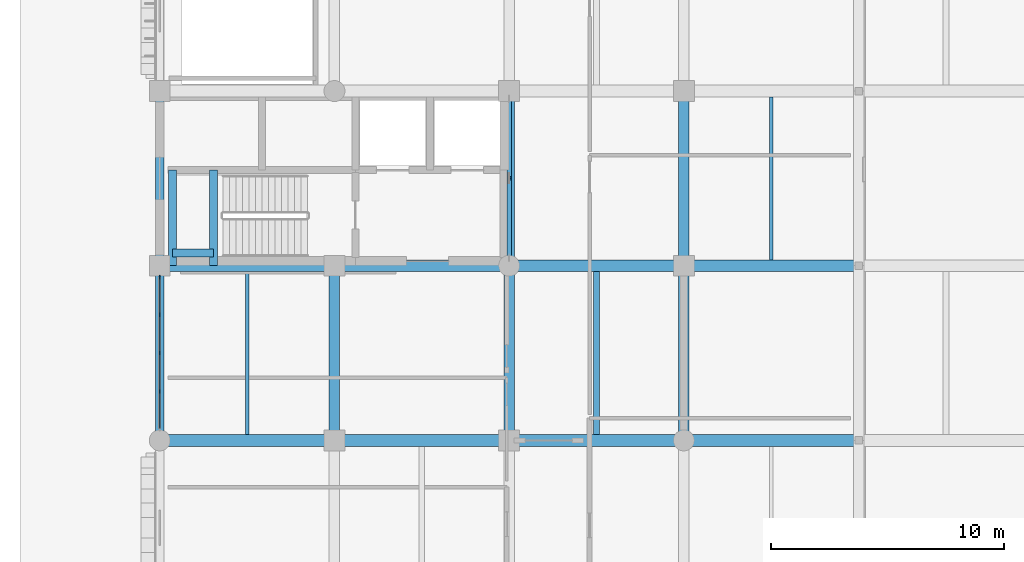
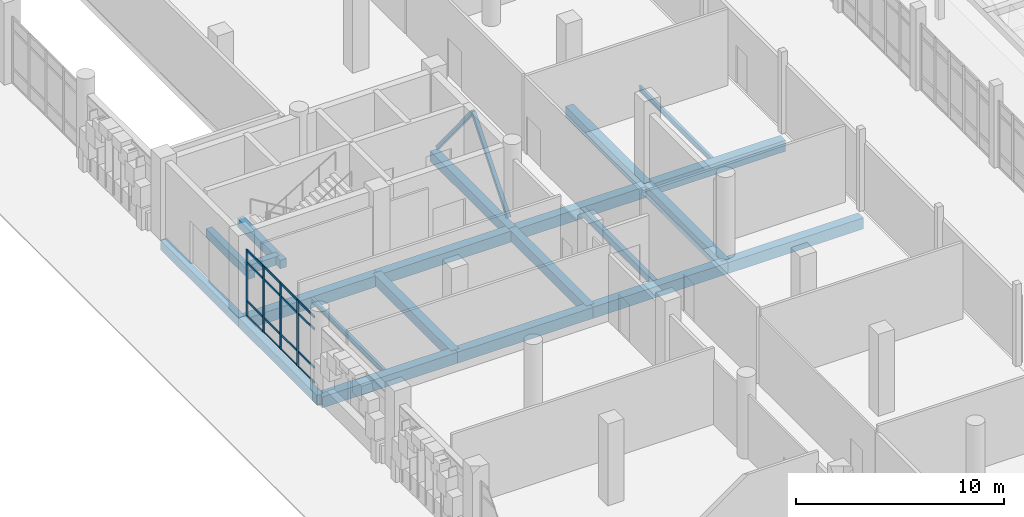
# One storey, part 23 of 125: 22 members, 21 beams, 1 element without a shape of its own.
"""IFC4 building model written with IfcOpenShell, lengths in metres."""

import ifcopenshell
import ifcopenshell.guid

model = None  # the IFC model being written
_history = None  # IfcOwnerHistory: only IFC2X3 demands one
_inside = {}  # id of a spatial element -> (the spatial element, [elements in it])
_under = {}  # id of a project, library or spatial element -> (it, [spatial elements below it])
_declared = {}  # id of a project -> (the project, [libraries it declares])
_typed = {}  # id of a type object -> (the type object, [elements of that type])
_made_of = {}  # id of a material, layer set ... -> (it, [elements and type objects made of it])


def new_model(schema):
    """Start an empty IFC model of exactly this schema.

    Asked for "IFC4X3", IfcOpenShell would pick the latest addendum, in which some entities
    have other attributes; the version numbers below select the first issue.
    IFC2X3 requires an IfcOwnerHistory on every rooted entity: one is made here for all.
    """
    global model, _history
    if schema == "IFC4X3":
        model = ifcopenshell.file(schema_version=(4, 3, 0, 0))
    else:
        model = ifcopenshell.file(schema=schema)
    _inside.clear()
    _under.clear()
    _declared.clear()
    _typed.clear()
    _made_of.clear()
    _history = None
    if model.schema == "IFC2X3":
        org = make("IfcOrganization", Name="unknown")
        user = make(
            "IfcPersonAndOrganization",
            ThePerson=make("IfcPerson", FamilyName="unknown"),
            TheOrganization=org,
        )
        app = make(
            "IfcApplication",
            ApplicationDeveloper=org,
            Version="unknown",
            ApplicationFullName="unknown",
            ApplicationIdentifier="unknown",
        )
        _history = make(
            "IfcOwnerHistory",
            OwningUser=user,
            OwningApplication=app,
            ChangeAction="ADDED",
            CreationDate=0,
        )
    return model


def make(cls, **values):
    """One entity of the class cls with the attributes given. An attribute that is None is left unset."""
    return model.create_entity(
        cls, **{name: value for name, value in values.items() if value is not None}
    )


def rooted(cls, **values):
    """An entity with a GlobalId (a new one), such as an element, a storey or a relation."""
    return make(cls, GlobalId=ifcopenshell.guid.new(), OwnerHistory=_history, **values)


def si_unit(unit_type, name, prefix=None):
    """IfcSIUnit, for example si_unit("LENGTHUNIT", "METRE", prefix="MILLI")."""
    return make("IfcSIUnit", UnitType=unit_type, Prefix=prefix, Name=name)


def assignment(units):
    """IfcUnitAssignment: the units of a project."""
    return None if units is None else make("IfcUnitAssignment", Units=units)


def point(xyz):
    """IfcCartesianPoint."""
    return None if xyz is None else make("IfcCartesianPoint", Coordinates=xyz)


def direction(xyz):
    """IfcDirection."""
    return None if xyz is None else make("IfcDirection", DirectionRatios=xyz)


def frame(location, z_axis=None, x_axis=None):
    """IfcAxis2Placement3D, a coordinate frame: its origin and axes. An axis left out is left unset."""
    return make(
        "IfcAxis2Placement3D",
        Location=point(location),
        Axis=direction(z_axis),
        RefDirection=direction(x_axis),
    )


def frame_2d(location, x_axis=None):
    """IfcAxis2Placement2D, a coordinate frame in the plane: its origin and x axis."""
    return make(
        "IfcAxis2Placement2D", Location=point(location), RefDirection=direction(x_axis)
    )


def origin():
    """The frame at (0, 0, 0) with its axes left unset."""
    return frame((0.0, 0.0, 0.0))


def origin_2d():
    """The frame at (0, 0) in the plane with its x axis left unset."""
    return frame_2d((0.0, 0.0))


def place(relative_to, where):
    """IfcLocalPlacement: puts the frame where relative to a parent placement (None: the world)."""
    return make(
        "IfcLocalPlacement", PlacementRelTo=relative_to, RelativePlacement=where
    )


def context(
    kind, dimensions, precision=None, world=None, true_north=None, identifier=None
):
    """IfcGeometricRepresentationContext, for example the 3D "Model" context."""
    return make(
        "IfcGeometricRepresentationContext",
        ContextIdentifier=identifier,
        ContextType=kind,
        CoordinateSpaceDimension=dimensions,
        Precision=precision,
        WorldCoordinateSystem=world,
        TrueNorth=true_north,
    )


def subcontext(parent, identifier, kind, view, scale=None):
    """IfcGeometricRepresentationSubContext, for example "Body" below "Model"."""
    return make(
        "IfcGeometricRepresentationSubContext",
        ContextIdentifier=identifier,
        ContextType=kind,
        ParentContext=parent,
        TargetScale=scale,
        TargetView=view,
    )


def project(units=None, contexts=None):
    """IfcProject with its units and contexts."""
    return rooted(
        "IfcProject",
        Name="project",
        RepresentationContexts=contexts,
        UnitsInContext=assignment(units),
    )


def spatial(cls, under=None, at=None, **own):
    """A site, building, storey or space (cls), placed at a placement, below another one or the project."""
    s = rooted(cls, ObjectPlacement=at, **own)
    if under is not None:
        _under.setdefault(under.id(), (under, []))[1].append(s)
    return s


def profile(cls, at=None, kind="AREA", **sizes):
    """A parametric profile (cls). Its sizes go by their IFC names, for example OverallWidth=200.0."""
    return make(cls, ProfileType=kind, Position=at, **sizes)


def rectangle(**sizes):
    """IfcRectangleProfileDef."""
    return profile("IfcRectangleProfileDef", **sizes)


def hollow_rectangle(**sizes):
    """IfcRectangleHollowProfileDef."""
    return profile("IfcRectangleHollowProfileDef", **sizes)


def i_section(**sizes):
    """IfcIShapeProfileDef."""
    return profile("IfcIShapeProfileDef", **sizes)


def extrude(swept, where, along, depth):
    """IfcExtrudedAreaSolid: the profile swept, set in the frame where, extruded along a direction by depth."""
    return make(
        "IfcExtrudedAreaSolid",
        SweptArea=swept,
        Position=where,
        ExtrudedDirection=direction(along),
        Depth=depth,
    )


def shape(context_of_items, identifier, shape_type, items):
    """IfcShapeRepresentation: the items that make up one representation, for example the "Body"."""
    return make(
        "IfcShapeRepresentation",
        ContextOfItems=context_of_items,
        RepresentationIdentifier=identifier,
        RepresentationType=shape_type,
        Items=items,
    )


def material(Name=None, Category=None):
    """IfcMaterial."""
    return make("IfcMaterial", Name=Name, Category=Category)


def layer(
    of_material, thickness, ventilated=None, Name=None, Category=None, Priority=None
):
    """IfcMaterialLayer: one layer of a wall or slab, of a material (None: an air gap)."""
    return make(
        "IfcMaterialLayer",
        Material=of_material,
        LayerThickness=thickness,
        IsVentilated=ventilated,
        Name=Name,
        Category=Category,
        Priority=Priority,
    )


def layer_set(layers, Name=None):
    """IfcMaterialLayerSet."""
    return make("IfcMaterialLayerSet", MaterialLayers=layers, LayerSetName=Name)


def material_profile(
    of_material, cross_section, Name=None, Category=None, Priority=None
):
    """IfcMaterialProfile: a cross section and its material."""
    return make(
        "IfcMaterialProfile",
        Name=Name,
        Material=of_material,
        Profile=cross_section,
        Priority=Priority,
        Category=Category,
    )


def profile_set(profiles, Name=None, composite=None):
    """IfcMaterialProfileSet."""
    return make(
        "IfcMaterialProfileSet",
        Name=Name,
        MaterialProfiles=profiles,
        CompositeProfile=composite,
    )


def made_of(thing, what):
    """Note that an element or type object is made of a material, layer set ...; save() writes the relation."""
    if what is not None:
        _made_of.setdefault(what.id(), (what, []))[1].append(thing)
    return thing


def type_object(cls, material=None, **own):
    """A type object (cls), such as IfcWallType, which elements share."""
    return made_of(rooted(cls, **own), material)


def element(
    cls,
    number,
    at=None,
    inside=None,
    cuts=None,
    type_object=None,
    material=None,
    context=None,
    identifier="Body",
    shape_type=None,
    held_by="IfcProductDefinitionShape",
    body=None,
    shapes=None,
    **own,
):
    """One element of the class cls, such as IfcWall. Its Tag is "e" and its number.

    at: its placement. inside: the storey or other place that contains it. cuts: it is an
    opening in that element (IfcRelVoidsElement). A single representation is given by context,
    identifier, shape_type and body (its items); several are given by shapes. held_by: the class
    of the entity that holds the representations. save() writes the other relations.
    """
    e = rooted(cls, Tag="e%d" % number, ObjectPlacement=at, **own)
    if body is not None:
        shapes = [shape(context, identifier, shape_type, body)]
    if shapes is not None:
        e.Representation = make(held_by, Representations=shapes)
    if inside is not None:
        _inside.setdefault(inside.id(), (inside, []))[1].append(e)
    if cuts is not None:
        rooted(
            "IfcRelVoidsElement", RelatingBuildingElement=cuts, RelatedOpeningElement=e
        )
    if type_object is not None:
        _typed.setdefault(type_object.id(), (type_object, []))[1].append(e)
    return made_of(e, material)


def aggregate(whole, parts):
    """IfcRelAggregates: a whole, such as a stair, and the parts it consists of."""
    return rooted("IfcRelAggregates", RelatingObject=whole, RelatedObjects=parts)


def save(model, path):
    """Write the relations noted so far, then the file.

    IfcRelAggregates (storeys below a building ...), IfcRelContainedInSpatialStructure (elements
    in a storey), IfcRelDefinesByType, IfcRelAssociatesMaterial and IfcRelDeclares: one each for
    every whole, place, type object, material and project.
    """
    for whole, parts in _under.values():
        aggregate(whole, parts)
    for where, things in _inside.values():
        rooted(
            "IfcRelContainedInSpatialStructure",
            RelatedElements=things,
            RelatingStructure=where,
        )
    for kind, things in _typed.values():
        rooted("IfcRelDefinesByType", RelatedObjects=things, RelatingType=kind)
    for what, things in _made_of.values():
        rooted("IfcRelAssociatesMaterial", RelatedObjects=things, RelatingMaterial=what)
    for by, libraries in _declared.values():
        rooted("IfcRelDeclares", RelatingContext=by, RelatedDefinitions=libraries)
    model.write(path)


model = new_model("IFC4")

# Units and contexts
model_context = context("Model", 3, precision=1e-05, world=origin(), true_north=direction((0.0, 1.0)))
body_context = subcontext(model_context, "Body", "Model", "MODEL_VIEW")
ifc_project = project(units=[si_unit("LENGTHUNIT", "METRE"), si_unit("AREAUNIT", "SQUARE_METRE"), si_unit("VOLUMEUNIT", "CUBIC_METRE"), si_unit("PLANEANGLEUNIT", "RADIAN"), si_unit("MASSUNIT", "GRAM", prefix="KILO")], contexts=[model_context])

# Site, building, storey
site_placement = place(None, origin())
site = spatial("IfcSite", under=ifc_project, at=site_placement, CompositionType="ELEMENT")
building_placement = place(site_placement, origin())
building = spatial("IfcBuilding", under=site, at=building_placement, Name="Dalvernix Boulevard General Hospital", CompositionType="ELEMENT")
storey_placement = place(building_placement, origin())
storey = spatial("IfcBuildingStorey", under=building, at=storey_placement, Name="L00", CompositionType="ELEMENT", Elevation=0.0)

# Beams
ifc_material_1 = material(Name="Concrete C35/45", Category="concrete")
ifc_material_profile_1 = material_profile(ifc_material_1, rectangle(XDim=0.5, YDim=0.64990234375, at=origin_2d()), Name="RCB 500x650")
ifc_profile_set_1 = profile_set([ifc_material_profile_1], Name="Concrete C35/45")
beam_type_1 = type_object("IfcBeamType", Name="BM-B-02-I", PredefinedType="BEAM", material=ifc_profile_set_1)
for number, where, z_axis, x_axis, name in (
    (1, (0.0, 46.5, -0.68505859375), (1.0, 0.0, 0.0), (0.0, 1.0, 0.0), "L00 E-W girder G:1-2"),
    (2, (7.5, 46.5, -0.68505859375), (1.0, 0.0, 0.0), (0.0, 1.0, 0.0), "L00 E-W girder G:2-3"),
    (3, (15.0, 46.5, -0.68505859375), (1.0, 0.0, 0.0), (0.0, 1.0, 0.0), "L00 E-W girder G:3-4"),
    (4, (22.5, 46.5, -0.68505859375), (1.0, 0.0, 0.0), (0.0, 1.0, 0.0), "L00 E-W girder G:4-5"),
    (5, (0.0, 54.0, -0.68505859375), (1.0, 0.0, 0.0), (0.0, 1.0, 0.0), "L00 E-W girder H:1-2"),
    (6, (7.5, 54.0, -0.68505859375), (1.0, 0.0, 0.0), (0.0, 1.0, 0.0), "L00 E-W girder H:2-3"),
    (7, (15.0, 54.0, -0.68505859375), (1.0, 0.0, 0.0), (0.0, 1.0, 0.0), "L00 E-W girder H:3-4"),
    (8, (22.5, 54.0, -0.68505859375), (1.0, 0.0, 0.0), (0.0, 1.0, 0.0), "L00 E-W girder H:4-5"),
):
    element("IfcBeam", number, at=place(storey_placement, frame(where, z_axis=z_axis, x_axis=x_axis)), inside=storey, type_object=beam_type_1, Name=name, PredefinedType="BEAM", context=body_context, shape_type="SweptSolid", body=[
        extrude(rectangle(XDim=0.5, YDim=0.64990234375, at=origin_2d()), origin(), (0.0, 0.0, 1.0), 7.5),
    ])
ifc_material_profile_2 = material_profile(ifc_material_1, rectangle(XDim=0.449951171875, YDim=0.60009765625, at=origin_2d()), Name="RCB 450x600")
ifc_profile_set_2 = profile_set([ifc_material_profile_2], Name="Concrete C35/45")
beam_type_2 = type_object("IfcBeamType", Name="BM-B-04-I", PredefinedType="BEAM", material=ifc_profile_set_2)
for number, where, z_axis, x_axis, name in (
    (9, (7.5, 46.5, -0.659912109375), (0.0, 1.0, 0.0), (-1.0, 0.0, 0.0), "L00 N-S girder 2:G-H"),
    (10, (15.0, 46.5, -0.659912109375), (0.0, 1.0, 0.0), (-1.0, 0.0, 0.0), "L00 N-S girder 3:G-H"),
    (11, (15.0, 54.0, -0.659912109375), (0.0, 1.0, 0.0), (-1.0, 0.0, 0.0), "L00 N-S girder 3:H-J"),
    (12, (22.5, 46.5, -0.659912109375), (0.0, 1.0, 0.0), (-1.0, 0.0, 0.0), "L00 N-S girder 4:G-H"),
    (13, (22.5, 54.0, -0.659912109375), (0.0, 1.0, 0.0), (-1.0, 0.0, 0.0), "L00 N-S girder 4:H-J"),
):
    element("IfcBeam", number, at=place(storey_placement, frame(where, z_axis=z_axis, x_axis=x_axis)), inside=storey, type_object=beam_type_2, Name=name, PredefinedType="BEAM", context=body_context, shape_type="SweptSolid", body=[
        extrude(rectangle(XDim=0.449951171875, YDim=0.60009765625, at=origin_2d()), origin(), (0.0, 0.0, 1.0), 7.5),
    ])
ifc_material_profile_3 = material_profile(ifc_material_1, rectangle(XDim=0.35009765625, YDim=0.5, at=origin_2d()), Name="RCB 350x500")
ifc_profile_set_3 = profile_set([ifc_material_profile_3], Name="Concrete C35/45")
beam_type_3 = type_object("IfcBeamType", Name="BM-B-08", PredefinedType="BEAM", material=ifc_profile_set_3)
for number, where, z_axis, x_axis, name in (
    (14, (0.550048828125, 54.0, 1.949951171875), (0.0, 1.0, 0.0), (-1.0, 0.0, 0.0), "L00 C2 stair half-landing beam 1"),
    (15, (2.300048828125, 54.0, 1.949951171875), (0.0, 1.0, 0.0), (-1.0, 0.0, 0.0), "L00 C2 stair half-landing beam 2"),
):
    element("IfcBeam", number, at=place(storey_placement, frame(where, z_axis=z_axis, x_axis=x_axis)), inside=storey, type_object=beam_type_3, Name=name, PredefinedType="BEAM", context=body_context, shape_type="SweptSolid", body=[
        extrude(rectangle(XDim=0.35009765625, YDim=0.5, at=origin_2d()), origin(), (0.0, 0.0, 1.0), 4.10009765625),
    ])
beam_1_placement = place(storey_placement, frame((0.550048828125, 54.550048828125, 1.949951171875), z_axis=(1.0, 0.0, 0.0), x_axis=(0.0, 1.0, 0.0)))
element("IfcBeam", 16, at=beam_1_placement, inside=storey, type_object=beam_type_3, Name="L00 C2 stair half-landing tie beam", PredefinedType="BEAM", context=body_context, shape_type="SweptSolid", body=[
    extrude(rectangle(XDim=0.35009765625, YDim=0.5, at=origin_2d()), origin(), (0.0, 0.0, 1.0), 1.75),
])
ifc_material_profile_4 = material_profile(ifc_material_1, rectangle(XDim=0.25, YDim=0.39990234375, at=origin_2d()), Name="RCB 250x400")
ifc_profile_set_4 = profile_set([ifc_material_profile_4], Name="Concrete C35/45")
beam_type_4 = type_object("IfcBeamType", Name="BM-JB-02", PredefinedType="JOIST", material=ifc_profile_set_4)
beam_2_placement = place(storey_placement, frame((18.75, 46.75, -0.56005859375), z_axis=(0.0, 1.0, 0.0), x_axis=(-1.0, 0.0, 0.0)))
element("IfcBeam", 17, at=beam_2_placement, inside=storey, type_object=beam_type_4, Name="L00 secondary floor beam 3-G", PredefinedType="JOIST", context=body_context, shape_type="SweptSolid", body=[
    extrude(rectangle(XDim=0.25, YDim=0.39990234375, at=origin_2d()), origin(), (0.0, 0.0, 1.0), 7.0),
])
ifc_material_2 = material(Name="Steel S355", Category="steel")
ifc_material_profile_5 = material_profile(ifc_material_2, i_section(OverallWidth=0.14990234375, OverallDepth=0.300048828125, WebThickness=0.007080078125, FlangeThickness=0.0107421875, FilletRadius=0.014892578125, at=origin_2d()), Name="IPE 300")
ifc_profile_set_5 = profile_set([ifc_material_profile_5], Name="Steel S355")
beam_type_5 = type_object("IfcBeamType", Name="BM-JB-03", PredefinedType="JOIST", material=ifc_profile_set_5)
for number, where, z_axis, x_axis, name in (
    (18, (3.75, 46.75, -0.510009765625), (0.0, 1.0, 0.0), (-1.0, 0.0, 0.0), "L00 secondary floor beam 1-G"),
    (19, (26.25, 54.25, -0.510009765625), (0.0, 1.0, 0.0), (-1.0, 0.0, 0.0), "L00 secondary floor beam 4-H"),
):
    element("IfcBeam", number, at=place(storey_placement, frame(where, z_axis=z_axis, x_axis=x_axis)), inside=storey, type_object=beam_type_5, Name=name, PredefinedType="JOIST", context=body_context, shape_type="SweptSolid", body=[
        extrude(i_section(OverallWidth=0.14990234375, OverallDepth=0.300048828125, WebThickness=0.007080078125, FlangeThickness=0.0107421875, FilletRadius=0.014892578125, at=origin_2d()), origin(), (0.0, 0.0, 1.0), 7.0),
    ])
ifc_material_profile_6 = material_profile(ifc_material_1, rectangle(XDim=0.35009765625, YDim=0.550048828125, at=origin_2d()), Name="RCB 350x550")
ifc_profile_set_6 = profile_set([ifc_material_profile_6], Name="Concrete C35/45")
beam_type_6 = type_object("IfcBeamType", Name="BM-SB-01-E", PredefinedType="SPANDREL", material=ifc_profile_set_6)
for number, where, z_axis, x_axis, name in (
    (20, (0.0, 46.5, -0.635009765625), (0.0, 1.0, 0.0), (-1.0, 0.0, 0.0), "L00 N-S girder 1:G-H"),
    (21, (0.0, 54.0, -0.635009765625), (0.0, 1.0, 0.0), (-1.0, 0.0, 0.0), "L00 N-S girder 1:H-J"),
):
    element("IfcBeam", number, at=place(storey_placement, frame(where, z_axis=z_axis, x_axis=x_axis)), inside=storey, type_object=beam_type_6, Name=name, PredefinedType="SPANDREL", context=body_context, shape_type="SweptSolid", body=[
        extrude(rectangle(XDim=0.35009765625, YDim=0.550048828125, at=origin_2d()), origin(), (0.0, 0.0, 1.0), 7.5),
    ])

# Members
ifc_material_profile_7 = material_profile(ifc_material_2, hollow_rectangle(XDim=0.199951171875, YDim=0.199951171875, WallThickness=0.010009765625, at=origin_2d()), Name="SHS 200x200x10.0")
ifc_profile_set_7 = profile_set([ifc_material_profile_7], Name="Steel S355")
member_type_1 = type_object("IfcMemberType", Name="MEM-BR-02", PredefinedType="BRACE", material=ifc_profile_set_7)
for number, where, z_axis, x_axis, name in (
    (22, (15.0, 54.35009765625, 0.0), (0.0, 0.63374319852, 0.773543507716), (-1.0, 0.0, 0.0), "L00 braced frame chevron 2A"),
    (23, (15.0, 61.14990234375, 0.0), (0.0, -0.63374319852, 0.773543507716), (1.0, 0.0, 0.0), "L00 braced frame chevron 2B"),
):
    element("IfcMember", number, at=place(storey_placement, frame(where, z_axis=z_axis, x_axis=x_axis)), inside=storey, type_object=member_type_1, Name=name, PredefinedType="BRACE", context=body_context, shape_type="SweptSolid", body=[
        extrude(hollow_rectangle(XDim=0.199951171875, YDim=0.199951171875, WallThickness=0.010009765625, at=origin_2d()), origin(), (0.0, 0.0, 1.0), 5.36474609375),
    ])

# Curtain wall, members
ifc_material_3 = material(Name="Thermally broken aluminium and solar-control glass curtain wall", Category="aluminium")
ifc_layer = layer(ifc_material_3, 0.159912109375)
ifc_layer_set = layer_set([ifc_layer], Name="Thermally broken aluminium and solar-control glass curtain wall (CW-CW-A-66x39)")
curtain_wall_type = type_object("IfcCurtainWallType", Name="CW-CW-A-66x39", PredefinedType="USERDEFINED", material=ifc_layer_set)
curtain_wall_placement = place(storey_placement, origin())
curtain_wall = element("IfcCurtainWall", 24, at=curtain_wall_placement, inside=storey, type_object=curtain_wall_type, Name="L00 curtain wall CW-A-66x39 0-6", ObjectType="GLAZED FACADE", PredefinedType="USERDEFINED")
ifc_material_4 = material(Name="Aluminium EN AW-6060", Category="aluminium")
ifc_material_profile_8 = material_profile(ifc_material_4, rectangle(XDim=0.06005859375, YDim=0.159912109375, at=origin_2d()), Name="ALU MULL 60x160")
ifc_profile_set_8 = profile_set([ifc_material_profile_8], Name="Aluminium EN AW-6060")
member_type_2 = type_object("IfcMemberType", Name="MEM-CW-M1", PredefinedType="MULLION", material=ifc_profile_set_8)
member_1_placement = place(storey_placement, frame((0.0, 48.60498046875, 0.0), z_axis=(0.0, 0.0, 1.0), x_axis=(-1.0, 0.0, 0.0)))
member_1 = element("IfcMember", 25, at=member_1_placement, type_object=member_type_2, Name="CW-A-66x39 mullion 2", PredefinedType="MULLION", context=body_context, shape_type="SweptSolid", body=[
    extrude(rectangle(XDim=0.06005859375, YDim=0.159912109375, at=origin_2d()), origin(), (0.0, 0.0, 1.0), 3.89990234375),
])
member_2_placement = place(storey_placement, frame((0.0, 50.25, 0.0), z_axis=(0.0, 0.0, 1.0), x_axis=(-1.0, 0.0, 0.0)))
member_2 = element("IfcMember", 26, at=member_2_placement, type_object=member_type_2, Name="CW-A-66x39 mullion 3", PredefinedType="MULLION", context=body_context, shape_type="SweptSolid", body=[
    extrude(rectangle(XDim=0.06005859375, YDim=0.159912109375, at=origin_2d()), origin(), (0.0, 0.0, 1.0), 3.89990234375),
])
member_3_placement = place(storey_placement, frame((0.0, 51.89501953125, 0.0), z_axis=(0.0, 0.0, 1.0), x_axis=(-1.0, 0.0, 0.0)))
member_3 = element("IfcMember", 27, at=member_3_placement, type_object=member_type_2, Name="CW-A-66x39 mullion 4", PredefinedType="MULLION", context=body_context, shape_type="SweptSolid", body=[
    extrude(rectangle(XDim=0.06005859375, YDim=0.159912109375, at=origin_2d()), origin(), (0.0, 0.0, 1.0), 3.89990234375),
])
member_4_placement = place(storey_placement, frame((0.0, 53.510009765625, 0.0), z_axis=(0.0, 0.0, 1.0), x_axis=(-1.0, 0.0, 0.0)))
member_4 = element("IfcMember", 28, at=member_4_placement, type_object=member_type_2, Name="CW-A-66x39 mullion 5", PredefinedType="MULLION", context=body_context, shape_type="SweptSolid", body=[
    extrude(rectangle(XDim=0.06005859375, YDim=0.159912109375, at=origin_2d()), origin(), (0.0, 0.0, 1.0), 3.89990234375),
])
ifc_material_profile_9 = material_profile(ifc_material_4, rectangle(XDim=0.06005859375, YDim=0.1201171875, at=origin_2d()), Name="ALU TRAN 60x120")
ifc_profile_set_9 = profile_set([ifc_material_profile_9], Name="Aluminium EN AW-6060")
member_type_3 = type_object("IfcMemberType", Name="MEM-CW-T1", PredefinedType="USERDEFINED", material=ifc_profile_set_9)
member_5_placement = place(storey_placement, frame((0.0, 47.02001953125, 0.030029296875), z_axis=(0.0, 1.0, 0.0), x_axis=(-1.0, 0.0, 0.0)))
member_5 = element("IfcMember", 29, at=member_5_placement, type_object=member_type_3, Name="CW-A-66x39 transom 1.1", ObjectType="TRANSOM", PredefinedType="USERDEFINED", context=body_context, shape_type="SweptSolid", body=[
    extrude(rectangle(XDim=0.06005859375, YDim=0.1201171875, at=origin_2d()), origin(), (0.0, 0.0, 1.0), 1.554931640625),
])
member_6_placement = place(storey_placement, frame((0.0, 47.02001953125, 0.89990234375), z_axis=(0.0, 1.0, 0.0), x_axis=(-1.0, 0.0, 0.0)))
member_6 = element("IfcMember", 30, at=member_6_placement, type_object=member_type_3, Name="CW-A-66x39 transom 1.2", ObjectType="TRANSOM", PredefinedType="USERDEFINED", context=body_context, shape_type="SweptSolid", body=[
    extrude(rectangle(XDim=0.06005859375, YDim=0.1201171875, at=origin_2d()), origin(), (0.0, 0.0, 1.0), 1.554931640625),
])
member_7_placement = place(storey_placement, frame((0.0, 47.02001953125, 3.14990234375), z_axis=(0.0, 1.0, 0.0), x_axis=(-1.0, 0.0, 0.0)))
member_7 = element("IfcMember", 31, at=member_7_placement, type_object=member_type_3, Name="CW-A-66x39 transom 1.3", ObjectType="TRANSOM", PredefinedType="USERDEFINED", context=body_context, shape_type="SweptSolid", body=[
    extrude(rectangle(XDim=0.06005859375, YDim=0.1201171875, at=origin_2d()), origin(), (0.0, 0.0, 1.0), 1.554931640625),
])
member_8_placement = place(storey_placement, frame((0.0, 47.02001953125, 3.8701171875), z_axis=(0.0, 1.0, 0.0), x_axis=(-1.0, 0.0, 0.0)))
member_8 = element("IfcMember", 32, at=member_8_placement, type_object=member_type_3, Name="CW-A-66x39 transom 1.4", ObjectType="TRANSOM", PredefinedType="USERDEFINED", context=body_context, shape_type="SweptSolid", body=[
    extrude(rectangle(XDim=0.06005859375, YDim=0.1201171875, at=origin_2d()), origin(), (0.0, 0.0, 1.0), 1.554931640625),
])
member_9_placement = place(storey_placement, frame((0.0, 48.635009765625, 0.030029296875), z_axis=(0.0, 1.0, 0.0), x_axis=(-1.0, 0.0, 0.0)))
member_9 = element("IfcMember", 33, at=member_9_placement, type_object=member_type_3, Name="CW-A-66x39 transom 2.1", ObjectType="TRANSOM", PredefinedType="USERDEFINED", context=body_context, shape_type="SweptSolid", body=[
    extrude(rectangle(XDim=0.06005859375, YDim=0.1201171875, at=origin_2d()), origin(), (0.0, 0.0, 1.0), 1.5849609375),
])
member_10_placement = place(storey_placement, frame((0.0, 48.635009765625, 0.89990234375), z_axis=(0.0, 1.0, 0.0), x_axis=(-1.0, 0.0, 0.0)))
member_10 = element("IfcMember", 34, at=member_10_placement, type_object=member_type_3, Name="CW-A-66x39 transom 2.2", ObjectType="TRANSOM", PredefinedType="USERDEFINED", context=body_context, shape_type="SweptSolid", body=[
    extrude(rectangle(XDim=0.06005859375, YDim=0.1201171875, at=origin_2d()), origin(), (0.0, 0.0, 1.0), 1.5849609375),
])
member_11_placement = place(storey_placement, frame((0.0, 48.635009765625, 3.14990234375), z_axis=(0.0, 1.0, 0.0), x_axis=(-1.0, 0.0, 0.0)))
member_11 = element("IfcMember", 35, at=member_11_placement, type_object=member_type_3, Name="CW-A-66x39 transom 2.3", ObjectType="TRANSOM", PredefinedType="USERDEFINED", context=body_context, shape_type="SweptSolid", body=[
    extrude(rectangle(XDim=0.06005859375, YDim=0.1201171875, at=origin_2d()), origin(), (0.0, 0.0, 1.0), 1.5849609375),
])
member_12_placement = place(storey_placement, frame((0.0, 48.635009765625, 3.8701171875), z_axis=(0.0, 1.0, 0.0), x_axis=(-1.0, 0.0, 0.0)))
member_12 = element("IfcMember", 36, at=member_12_placement, type_object=member_type_3, Name="CW-A-66x39 transom 2.4", ObjectType="TRANSOM", PredefinedType="USERDEFINED", context=body_context, shape_type="SweptSolid", body=[
    extrude(rectangle(XDim=0.06005859375, YDim=0.1201171875, at=origin_2d()), origin(), (0.0, 0.0, 1.0), 1.5849609375),
])
member_13_placement = place(storey_placement, frame((0.0, 50.280029296875, 0.030029296875), z_axis=(0.0, 1.0, 0.0), x_axis=(-1.0, 0.0, 0.0)))
member_13 = element("IfcMember", 37, at=member_13_placement, type_object=member_type_3, Name="CW-A-66x39 transom 3.1", ObjectType="TRANSOM", PredefinedType="USERDEFINED", context=body_context, shape_type="SweptSolid", body=[
    extrude(rectangle(XDim=0.06005859375, YDim=0.1201171875, at=origin_2d()), origin(), (0.0, 0.0, 1.0), 1.5849609375),
])
member_14_placement = place(storey_placement, frame((0.0, 50.280029296875, 0.89990234375), z_axis=(0.0, 1.0, 0.0), x_axis=(-1.0, 0.0, 0.0)))
member_14 = element("IfcMember", 38, at=member_14_placement, type_object=member_type_3, Name="CW-A-66x39 transom 3.2", ObjectType="TRANSOM", PredefinedType="USERDEFINED", context=body_context, shape_type="SweptSolid", body=[
    extrude(rectangle(XDim=0.06005859375, YDim=0.1201171875, at=origin_2d()), origin(), (0.0, 0.0, 1.0), 1.5849609375),
])
member_15_placement = place(storey_placement, frame((0.0, 50.280029296875, 3.14990234375), z_axis=(0.0, 1.0, 0.0), x_axis=(-1.0, 0.0, 0.0)))
member_15 = element("IfcMember", 39, at=member_15_placement, type_object=member_type_3, Name="CW-A-66x39 transom 3.3", ObjectType="TRANSOM", PredefinedType="USERDEFINED", context=body_context, shape_type="SweptSolid", body=[
    extrude(rectangle(XDim=0.06005859375, YDim=0.1201171875, at=origin_2d()), origin(), (0.0, 0.0, 1.0), 1.5849609375),
])
member_16_placement = place(storey_placement, frame((0.0, 50.280029296875, 3.8701171875), z_axis=(0.0, 1.0, 0.0), x_axis=(-1.0, 0.0, 0.0)))
member_16 = element("IfcMember", 40, at=member_16_placement, type_object=member_type_3, Name="CW-A-66x39 transom 3.4", ObjectType="TRANSOM", PredefinedType="USERDEFINED", context=body_context, shape_type="SweptSolid", body=[
    extrude(rectangle(XDim=0.06005859375, YDim=0.1201171875, at=origin_2d()), origin(), (0.0, 0.0, 1.0), 1.5849609375),
])
member_17_placement = place(storey_placement, frame((0.0, 51.925048828125, 0.030029296875), z_axis=(0.0, 1.0, 0.0), x_axis=(-1.0, 0.0, 0.0)))
member_17 = element("IfcMember", 41, at=member_17_placement, type_object=member_type_3, Name="CW-A-66x39 transom 4.1", ObjectType="TRANSOM", PredefinedType="USERDEFINED", context=body_context, shape_type="SweptSolid", body=[
    extrude(rectangle(XDim=0.06005859375, YDim=0.1201171875, at=origin_2d()), origin(), (0.0, 0.0, 1.0), 1.554931640625),
])
member_18_placement = place(storey_placement, frame((0.0, 51.925048828125, 0.89990234375), z_axis=(0.0, 1.0, 0.0), x_axis=(-1.0, 0.0, 0.0)))
member_18 = element("IfcMember", 42, at=member_18_placement, type_object=member_type_3, Name="CW-A-66x39 transom 4.2", ObjectType="TRANSOM", PredefinedType="USERDEFINED", context=body_context, shape_type="SweptSolid", body=[
    extrude(rectangle(XDim=0.06005859375, YDim=0.1201171875, at=origin_2d()), origin(), (0.0, 0.0, 1.0), 1.554931640625),
])
member_19_placement = place(storey_placement, frame((0.0, 51.925048828125, 3.14990234375), z_axis=(0.0, 1.0, 0.0), x_axis=(-1.0, 0.0, 0.0)))
member_19 = element("IfcMember", 43, at=member_19_placement, type_object=member_type_3, Name="CW-A-66x39 transom 4.3", ObjectType="TRANSOM", PredefinedType="USERDEFINED", context=body_context, shape_type="SweptSolid", body=[
    extrude(rectangle(XDim=0.06005859375, YDim=0.1201171875, at=origin_2d()), origin(), (0.0, 0.0, 1.0), 1.554931640625),
])
member_20_placement = place(storey_placement, frame((0.0, 51.925048828125, 3.8701171875), z_axis=(0.0, 1.0, 0.0), x_axis=(-1.0, 0.0, 0.0)))
member_20 = element("IfcMember", 44, at=member_20_placement, type_object=member_type_3, Name="CW-A-66x39 transom 4.4", ObjectType="TRANSOM", PredefinedType="USERDEFINED", context=body_context, shape_type="SweptSolid", body=[
    extrude(rectangle(XDim=0.06005859375, YDim=0.1201171875, at=origin_2d()), origin(), (0.0, 0.0, 1.0), 1.554931640625),
])
aggregate(curtain_wall, [member_1, member_2, member_3, member_4, member_5, member_6, member_7, member_8, member_9, member_10, member_11, member_12, member_13, member_14, member_15, member_16, member_17, member_18, member_19, member_20])

save(model, "model.ifc")
